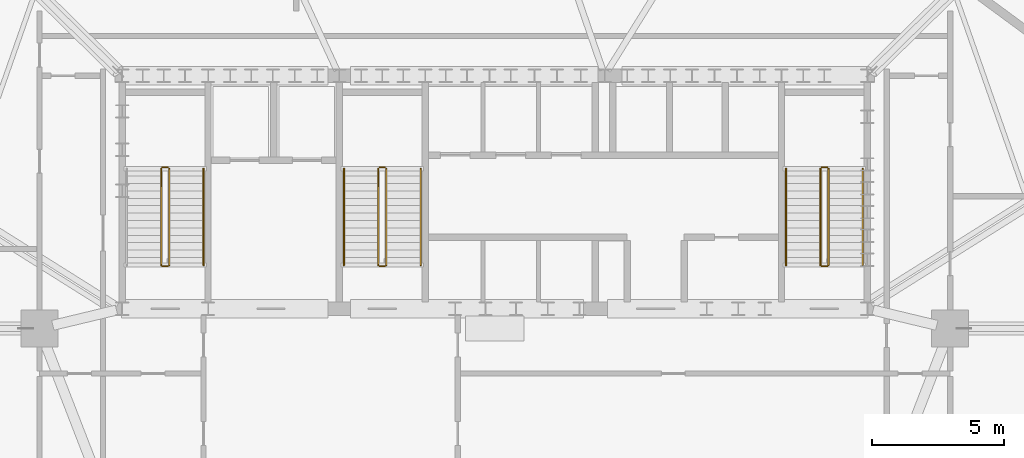
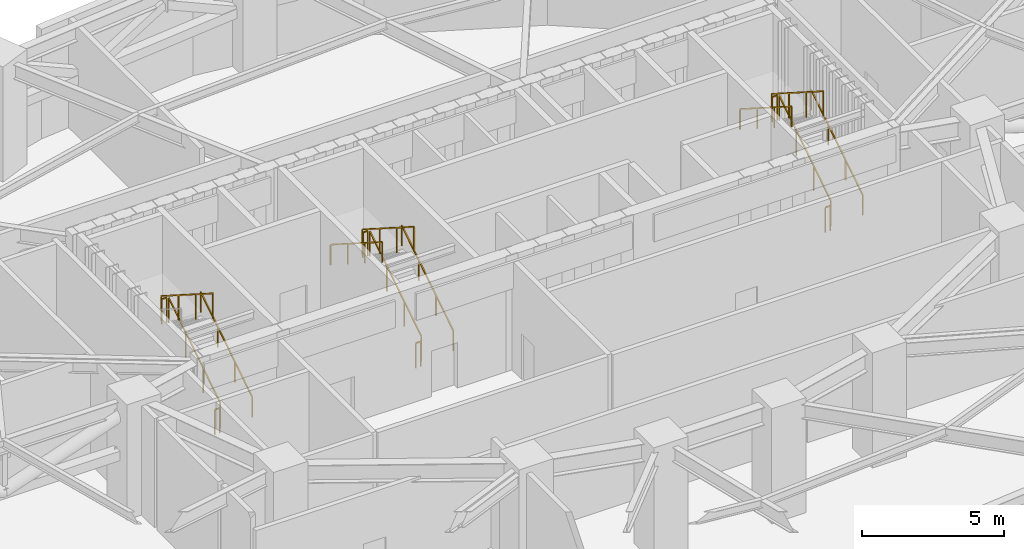
# One storey, part 18 of 18: 17 railings.
"""IFC4 building model written with IfcOpenShell, lengths in metres."""

from ifc_helpers import new_model, si_unit, direction, frame, origin, origin_2d, place, context, subcontext, project, spatial, rectangle, extrude, material, type_object, element, save


model = new_model("IFC4")

# Units and contexts
model_context = context("Model", 3, precision=1e-05, world=origin(), true_north=direction((0.0, 1.0)))
body_context = subcontext(model_context, "Body", "Model", "MODEL_VIEW")
ifc_project = project(units=[si_unit("LENGTHUNIT", "METRE"), si_unit("AREAUNIT", "SQUARE_METRE"), si_unit("VOLUMEUNIT", "CUBIC_METRE"), si_unit("PLANEANGLEUNIT", "RADIAN"), si_unit("MASSUNIT", "GRAM", prefix="KILO")], contexts=[model_context])

# Site, building, storey
site_placement = place(None, origin())
site = spatial("IfcSite", under=ifc_project, at=site_placement, CompositionType="ELEMENT")
building_placement = place(site_placement, origin())
building = spatial("IfcBuilding", under=site, at=building_placement, Name="Haldorwick Loom Tower", CompositionType="ELEMENT")
storey_placement = place(building_placement, frame((0.0, 0.0, 76.800048828125)))
storey = spatial("IfcBuildingStorey", under=building, at=storey_placement, Name="L20", CompositionType="ELEMENT", Elevation=76.800048828125)

# Railings
ifc_material = material(Name="Steel CSA G40.21 350W", Category="steel")
railing_type_1 = type_object("IfcRailingType", Name="ARC-RLG-GUARD112", PredefinedType="GUARDRAIL", material=ifc_material)
railing_1_placement = place(storey_placement, frame((23.699951171875, 28.39990234375, 0.178466796875)))
element("IfcRailing", 1, at=railing_1_placement, inside=storey, type_object=railing_type_1, Name="L20 ST-01 stair guard 1", PredefinedType="GUARDRAIL", context=body_context, shape_type="SweptSolid", body=[
    extrude(rectangle(XDim=0.048095703125, YDim=0.048095703125, at=origin_2d()), frame((0.0, 0.0, 1.076171875), z_axis=(0.0, 0.843127859045, 0.537713132908), x_axis=(-1.0, 0.0, 0.0)), (0.0, 0.0, 1.0), 4.3173828125),
    extrude(rectangle(XDim=0.0419921875, YDim=0.0419921875, at=origin_2d()), origin(), (0.0, 0.0, 1.0), 1.052001953125),
    extrude(rectangle(XDim=0.0419921875, YDim=0.0419921875, at=origin_2d()), frame((0.0, 1.21337890625, 0.77392578125)), (0.0, 0.0, 1.0), 1.052001953125),
    extrude(rectangle(XDim=0.0419921875, YDim=0.0419921875, at=origin_2d()), frame((0.0, 2.4267578125, 1.547607421875)), (0.0, 0.0, 1.0), 1.052001953125),
    extrude(rectangle(XDim=0.0419921875, YDim=0.0419921875, at=origin_2d()), frame((0.0, 3.64013671875, 2.321533203125)), (0.0, 0.0, 1.0), 1.052001953125),
])
railing_2_placement = place(storey_placement, frame((23.64990234375, 32.090087890625, 2.5)))
element("IfcRailing", 2, at=railing_2_placement, inside=storey, type_object=railing_type_1, Name="L20 ST-01 stair guard 2", PredefinedType="GUARDRAIL", context=body_context, shape_type="SweptSolid", body=[
    extrude(rectangle(XDim=0.048095703125, YDim=0.048095703125, at=origin_2d()), frame((0.0, 0.0, 1.076171875), z_axis=(-1.0, 0.0, 0.0), x_axis=(0.0, -1.0, 0.0)), (0.0, 0.0, 1.0), 0.199951171875),
    extrude(rectangle(XDim=0.0419921875, YDim=0.0419921875, at=origin_2d()), origin(), (0.0, 0.0, 1.0), 1.052001953125),
    extrude(rectangle(XDim=0.0419921875, YDim=0.0419921875, at=origin_2d()), frame((-0.199951171875, 0.0, 0.0)), (0.0, 0.0, 1.0), 1.052001953125),
])
railing_3_placement = place(storey_placement, frame((23.39990234375, 32.0400390625, 2.678466796875)))
element("IfcRailing", 3, at=railing_3_placement, inside=storey, type_object=railing_type_1, Name="L20 ST-01 stair guard 3", PredefinedType="GUARDRAIL", context=body_context, shape_type="SweptSolid", body=[
    extrude(rectangle(XDim=0.048095703125, YDim=0.048095703125, at=origin_2d()), frame((0.0, 0.0, 1.076171875), z_axis=(0.0, -0.843127859045, 0.537713132908), x_axis=(1.0, 0.0, 0.0)), (0.0, 0.0, 1.0), 4.3173828125),
    extrude(rectangle(XDim=0.0419921875, YDim=0.0419921875, at=origin_2d()), origin(), (0.0, 0.0, 1.0), 1.052001953125),
    extrude(rectangle(XDim=0.0419921875, YDim=0.0419921875, at=origin_2d()), frame((0.0, -1.21337890625, 0.77392578125)), (0.0, 0.0, 1.0), 1.052001953125),
    extrude(rectangle(XDim=0.0419921875, YDim=0.0419921875, at=origin_2d()), frame((0.0, -2.4267578125, 1.547607421875)), (0.0, 0.0, 1.0), 1.052001953125),
    extrude(rectangle(XDim=0.0419921875, YDim=0.0419921875, at=origin_2d()), frame((0.0, -3.64013671875, 2.321533203125)), (0.0, 0.0, 1.0), 1.052001953125),
])
railing_4_placement = place(storey_placement, frame((23.64990234375, 28.35009765625, 0.0)))
element("IfcRailing", 4, at=railing_4_placement, inside=storey, type_object=railing_type_1, Name="L20 ST-01 stair guard 4", PredefinedType="GUARDRAIL", context=body_context, shape_type="SweptSolid", body=[
    extrude(rectangle(XDim=0.048095703125, YDim=0.048095703125, at=origin_2d()), frame((0.0, 0.0, 1.076171875), z_axis=(-1.0, 0.0, 0.0), x_axis=(0.0, -1.0, 0.0)), (0.0, 0.0, 1.0), 0.199951171875),
    extrude(rectangle(XDim=0.0419921875, YDim=0.0419921875, at=origin_2d()), origin(), (0.0, 0.0, 1.0), 1.052001953125),
    extrude(rectangle(XDim=0.0419921875, YDim=0.0419921875, at=origin_2d()), frame((-0.199951171875, 0.0, 0.0)), (0.0, 0.0, 1.0), 1.052001953125),
])
railing_5_placement = place(storey_placement, frame((48.60009765625, 28.39990234375, 0.178466796875)))
element("IfcRailing", 5, at=railing_5_placement, inside=storey, type_object=railing_type_1, Name="L20 ST-02 stair guard 1", PredefinedType="GUARDRAIL", context=body_context, shape_type="SweptSolid", body=[
    extrude(rectangle(XDim=0.048095703125, YDim=0.048095703125, at=origin_2d()), frame((0.0, 0.0, 1.076171875), z_axis=(0.0, 0.843127859045, 0.537713132908), x_axis=(-1.0, 0.0, 0.0)), (0.0, 0.0, 1.0), 4.3173828125),
    extrude(rectangle(XDim=0.0419921875, YDim=0.0419921875, at=origin_2d()), origin(), (0.0, 0.0, 1.0), 1.052001953125),
    extrude(rectangle(XDim=0.0419921875, YDim=0.0419921875, at=origin_2d()), frame((0.0, 1.21337890625, 0.77392578125)), (0.0, 0.0, 1.0), 1.052001953125),
    extrude(rectangle(XDim=0.0419921875, YDim=0.0419921875, at=origin_2d()), frame((0.0, 2.4267578125, 1.547607421875)), (0.0, 0.0, 1.0), 1.052001953125),
    extrude(rectangle(XDim=0.0419921875, YDim=0.0419921875, at=origin_2d()), frame((0.0, 3.64013671875, 2.321533203125)), (0.0, 0.0, 1.0), 1.052001953125),
])
railing_6_placement = place(storey_placement, frame((48.550048828125, 32.090087890625, 2.5)))
element("IfcRailing", 6, at=railing_6_placement, inside=storey, type_object=railing_type_1, Name="L20 ST-02 stair guard 2", PredefinedType="GUARDRAIL", context=body_context, shape_type="SweptSolid", body=[
    extrude(rectangle(XDim=0.048095703125, YDim=0.048095703125, at=origin_2d()), frame((0.0, 0.0, 1.076171875), z_axis=(-1.0, 0.0, 0.0), x_axis=(0.0, -1.0, 0.0)), (0.0, 0.0, 1.0), 0.199951171875),
    extrude(rectangle(XDim=0.0419921875, YDim=0.0419921875, at=origin_2d()), origin(), (0.0, 0.0, 1.0), 1.052001953125),
    extrude(rectangle(XDim=0.0419921875, YDim=0.0419921875, at=origin_2d()), frame((-0.199951171875, 0.0, 0.0)), (0.0, 0.0, 1.0), 1.052001953125),
])
railing_7_placement = place(storey_placement, frame((48.300048828125, 32.0400390625, 2.678466796875)))
element("IfcRailing", 7, at=railing_7_placement, inside=storey, type_object=railing_type_1, Name="L20 ST-02 stair guard 3", PredefinedType="GUARDRAIL", context=body_context, shape_type="SweptSolid", body=[
    extrude(rectangle(XDim=0.048095703125, YDim=0.048095703125, at=origin_2d()), frame((0.0, 0.0, 1.076171875), z_axis=(0.0, -0.843127859045, 0.537713132908), x_axis=(1.0, 0.0, 0.0)), (0.0, 0.0, 1.0), 4.3173828125),
    extrude(rectangle(XDim=0.0419921875, YDim=0.0419921875, at=origin_2d()), origin(), (0.0, 0.0, 1.0), 1.052001953125),
    extrude(rectangle(XDim=0.0419921875, YDim=0.0419921875, at=origin_2d()), frame((0.0, -1.21337890625, 0.77392578125)), (0.0, 0.0, 1.0), 1.052001953125),
    extrude(rectangle(XDim=0.0419921875, YDim=0.0419921875, at=origin_2d()), frame((0.0, -2.4267578125, 1.547607421875)), (0.0, 0.0, 1.0), 1.052001953125),
    extrude(rectangle(XDim=0.0419921875, YDim=0.0419921875, at=origin_2d()), frame((0.0, -3.64013671875, 2.321533203125)), (0.0, 0.0, 1.0), 1.052001953125),
])
railing_8_placement = place(storey_placement, frame((48.550048828125, 28.35009765625, 0.0)))
element("IfcRailing", 8, at=railing_8_placement, inside=storey, type_object=railing_type_1, Name="L20 ST-02 stair guard 4", PredefinedType="GUARDRAIL", context=body_context, shape_type="SweptSolid", body=[
    extrude(rectangle(XDim=0.048095703125, YDim=0.048095703125, at=origin_2d()), frame((0.0, 0.0, 1.076171875), z_axis=(-1.0, 0.0, 0.0), x_axis=(0.0, -1.0, 0.0)), (0.0, 0.0, 1.0), 0.199951171875),
    extrude(rectangle(XDim=0.0419921875, YDim=0.0419921875, at=origin_2d()), origin(), (0.0, 0.0, 1.0), 1.052001953125),
    extrude(rectangle(XDim=0.0419921875, YDim=0.0419921875, at=origin_2d()), frame((-0.199951171875, 0.0, 0.0)), (0.0, 0.0, 1.0), 1.052001953125),
])
railing_9_placement = place(storey_placement, frame((31.89990234375, 28.39990234375, 0.178466796875)))
element("IfcRailing", 9, at=railing_9_placement, inside=storey, type_object=railing_type_1, Name="L20 ST-03 stair guard 1", PredefinedType="GUARDRAIL", context=body_context, shape_type="SweptSolid", body=[
    extrude(rectangle(XDim=0.048095703125, YDim=0.048095703125, at=origin_2d()), frame((0.0, 0.0, 1.076171875), z_axis=(0.0, 0.843127859045, 0.537713132908), x_axis=(-1.0, 0.0, 0.0)), (0.0, 0.0, 1.0), 4.3173828125),
    extrude(rectangle(XDim=0.0419921875, YDim=0.0419921875, at=origin_2d()), origin(), (0.0, 0.0, 1.0), 1.052001953125),
    extrude(rectangle(XDim=0.0419921875, YDim=0.0419921875, at=origin_2d()), frame((0.0, 1.21337890625, 0.77392578125)), (0.0, 0.0, 1.0), 1.052001953125),
    extrude(rectangle(XDim=0.0419921875, YDim=0.0419921875, at=origin_2d()), frame((0.0, 2.4267578125, 1.547607421875)), (0.0, 0.0, 1.0), 1.052001953125),
    extrude(rectangle(XDim=0.0419921875, YDim=0.0419921875, at=origin_2d()), frame((0.0, 3.64013671875, 2.321533203125)), (0.0, 0.0, 1.0), 1.052001953125),
])
railing_10_placement = place(storey_placement, frame((31.85009765625, 32.090087890625, 2.5)))
element("IfcRailing", 10, at=railing_10_placement, inside=storey, type_object=railing_type_1, Name="L20 ST-03 stair guard 2", PredefinedType="GUARDRAIL", context=body_context, shape_type="SweptSolid", body=[
    extrude(rectangle(XDim=0.048095703125, YDim=0.048095703125, at=origin_2d()), frame((0.0, 0.0, 1.076171875), z_axis=(-1.0, 0.0, 0.0), x_axis=(0.0, -1.0, 0.0)), (0.0, 0.0, 1.0), 0.2001953125),
    extrude(rectangle(XDim=0.0419921875, YDim=0.0419921875, at=origin_2d()), origin(), (0.0, 0.0, 1.0), 1.052001953125),
    extrude(rectangle(XDim=0.0419921875, YDim=0.0419921875, at=origin_2d()), frame((-0.2001953125, 0.0, 0.0)), (0.0, 0.0, 1.0), 1.052001953125),
])
railing_11_placement = place(storey_placement, frame((31.60009765625, 32.0400390625, 2.678466796875)))
element("IfcRailing", 11, at=railing_11_placement, inside=storey, type_object=railing_type_1, Name="L20 ST-03 stair guard 3", PredefinedType="GUARDRAIL", context=body_context, shape_type="SweptSolid", body=[
    extrude(rectangle(XDim=0.048095703125, YDim=0.048095703125, at=origin_2d()), frame((0.0, 0.0, 1.076171875), z_axis=(0.0, -0.843127859045, 0.537713132908), x_axis=(1.0, 0.0, 0.0)), (0.0, 0.0, 1.0), 4.3173828125),
    extrude(rectangle(XDim=0.0419921875, YDim=0.0419921875, at=origin_2d()), origin(), (0.0, 0.0, 1.0), 1.052001953125),
    extrude(rectangle(XDim=0.0419921875, YDim=0.0419921875, at=origin_2d()), frame((0.0, -1.21337890625, 0.77392578125)), (0.0, 0.0, 1.0), 1.052001953125),
    extrude(rectangle(XDim=0.0419921875, YDim=0.0419921875, at=origin_2d()), frame((0.0, -2.4267578125, 1.547607421875)), (0.0, 0.0, 1.0), 1.052001953125),
    extrude(rectangle(XDim=0.0419921875, YDim=0.0419921875, at=origin_2d()), frame((0.0, -3.64013671875, 2.321533203125)), (0.0, 0.0, 1.0), 1.052001953125),
])
railing_12_placement = place(storey_placement, frame((31.85009765625, 28.35009765625, 0.0)))
element("IfcRailing", 12, at=railing_12_placement, inside=storey, type_object=railing_type_1, Name="L20 ST-03 stair guard 4", PredefinedType="GUARDRAIL", context=body_context, shape_type="SweptSolid", body=[
    extrude(rectangle(XDim=0.048095703125, YDim=0.048095703125, at=origin_2d()), frame((0.0, 0.0, 1.076171875), z_axis=(-1.0, 0.0, 0.0), x_axis=(0.0, -1.0, 0.0)), (0.0, 0.0, 1.0), 0.2001953125),
    extrude(rectangle(XDim=0.0419921875, YDim=0.0419921875, at=origin_2d()), origin(), (0.0, 0.0, 1.0), 1.052001953125),
    extrude(rectangle(XDim=0.0419921875, YDim=0.0419921875, at=origin_2d()), frame((-0.2001953125, 0.0, 0.0)), (0.0, 0.0, 1.0), 1.052001953125),
])
railing_type_2 = type_object("IfcRailingType", Name="ARC-RLG-HAND092", PredefinedType="HANDRAIL", material=ifc_material)
for number, where, name in (
    (13, (25.0, 28.39990234375, 0.178466796875), "L20 ST-01 stair handrail 1"),
    (14, (49.89990234375, 28.39990234375, 0.178466796875), "L20 ST-02 stair handrail 1"),
):
    element("IfcRailing", number, at=place(storey_placement, frame(where)), inside=storey, type_object=railing_type_2, Name=name, PredefinedType="HANDRAIL", context=body_context, shape_type="SweptSolid", body=[
        extrude(rectangle(XDim=0.048095703125, YDim=0.048095703125, at=origin_2d()), frame((0.0, 0.0, 0.8759765625), z_axis=(0.0, 0.843127859045, 0.537713132908), x_axis=(-1.0, 0.0, 0.0)), (0.0, 0.0, 1.0), 4.3173828125),
        extrude(rectangle(XDim=0.0419921875, YDim=0.0419921875, at=origin_2d()), origin(), (0.0, 0.0, 1.0), 0.851806640625),
        extrude(rectangle(XDim=0.0419921875, YDim=0.0419921875, at=origin_2d()), frame((0.0, 1.21337890625, 0.77392578125)), (0.0, 0.0, 1.0), 0.851806640625),
        extrude(rectangle(XDim=0.0419921875, YDim=0.0419921875, at=origin_2d()), frame((0.0, 2.4267578125, 1.547607421875)), (0.0, 0.0, 1.0), 0.851806640625),
        extrude(rectangle(XDim=0.0419921875, YDim=0.0419921875, at=origin_2d()), frame((0.0, 3.64013671875, 2.321533203125)), (0.0, 0.0, 1.0), 0.851806640625),
    ])
railing_13_placement = place(storey_placement, frame((47.0, 32.0400390625, 2.678466796875)))
element("IfcRailing", 15, at=railing_13_placement, inside=storey, type_object=railing_type_2, Name="L20 ST-02 stair handrail 2", PredefinedType="HANDRAIL", context=body_context, shape_type="SweptSolid", body=[
    extrude(rectangle(XDim=0.048095703125, YDim=0.048095703125, at=origin_2d()), frame((0.0, 0.0, 0.8759765625), z_axis=(0.0, -0.843127859045, 0.537713132908), x_axis=(1.0, 0.0, 0.0)), (0.0, 0.0, 1.0), 4.3173828125),
    extrude(rectangle(XDim=0.0419921875, YDim=0.0419921875, at=origin_2d()), origin(), (0.0, 0.0, 1.0), 0.851806640625),
    extrude(rectangle(XDim=0.0419921875, YDim=0.0419921875, at=origin_2d()), frame((0.0, -1.21337890625, 0.77392578125)), (0.0, 0.0, 1.0), 0.851806640625),
    extrude(rectangle(XDim=0.0419921875, YDim=0.0419921875, at=origin_2d()), frame((0.0, -2.4267578125, 1.547607421875)), (0.0, 0.0, 1.0), 0.851806640625),
    extrude(rectangle(XDim=0.0419921875, YDim=0.0419921875, at=origin_2d()), frame((0.0, -3.64013671875, 2.321533203125)), (0.0, 0.0, 1.0), 0.851806640625),
])
railing_14_placement = place(storey_placement, frame((33.199951171875, 28.39990234375, 0.178466796875)))
element("IfcRailing", 16, at=railing_14_placement, inside=storey, type_object=railing_type_2, Name="L20 ST-03 stair handrail 1", PredefinedType="HANDRAIL", context=body_context, shape_type="SweptSolid", body=[
    extrude(rectangle(XDim=0.048095703125, YDim=0.048095703125, at=origin_2d()), frame((0.0, 0.0, 0.8759765625), z_axis=(0.0, 0.843127859045, 0.537713132908), x_axis=(-1.0, 0.0, 0.0)), (0.0, 0.0, 1.0), 4.3173828125),
    extrude(rectangle(XDim=0.0419921875, YDim=0.0419921875, at=origin_2d()), origin(), (0.0, 0.0, 1.0), 0.851806640625),
    extrude(rectangle(XDim=0.0419921875, YDim=0.0419921875, at=origin_2d()), frame((0.0, 1.21337890625, 0.77392578125)), (0.0, 0.0, 1.0), 0.851806640625),
    extrude(rectangle(XDim=0.0419921875, YDim=0.0419921875, at=origin_2d()), frame((0.0, 2.4267578125, 1.547607421875)), (0.0, 0.0, 1.0), 0.851806640625),
    extrude(rectangle(XDim=0.0419921875, YDim=0.0419921875, at=origin_2d()), frame((0.0, 3.64013671875, 2.321533203125)), (0.0, 0.0, 1.0), 0.851806640625),
])
railing_15_placement = place(storey_placement, frame((30.300048828125, 32.0400390625, 2.678466796875)))
element("IfcRailing", 17, at=railing_15_placement, inside=storey, type_object=railing_type_2, Name="L20 ST-03 stair handrail 2", PredefinedType="HANDRAIL", context=body_context, shape_type="SweptSolid", body=[
    extrude(rectangle(XDim=0.048095703125, YDim=0.048095703125, at=origin_2d()), frame((0.0, 0.0, 0.8759765625), z_axis=(0.0, -0.843127859045, 0.537713132908), x_axis=(1.0, 0.0, 0.0)), (0.0, 0.0, 1.0), 4.3173828125),
    extrude(rectangle(XDim=0.0419921875, YDim=0.0419921875, at=origin_2d()), origin(), (0.0, 0.0, 1.0), 0.851806640625),
    extrude(rectangle(XDim=0.0419921875, YDim=0.0419921875, at=origin_2d()), frame((0.0, -1.21337890625, 0.77392578125)), (0.0, 0.0, 1.0), 0.851806640625),
    extrude(rectangle(XDim=0.0419921875, YDim=0.0419921875, at=origin_2d()), frame((0.0, -2.4267578125, 1.547607421875)), (0.0, 0.0, 1.0), 0.851806640625),
    extrude(rectangle(XDim=0.0419921875, YDim=0.0419921875, at=origin_2d()), frame((0.0, -3.64013671875, 2.321533203125)), (0.0, 0.0, 1.0), 0.851806640625),
])

save(model, "model.ifc")
